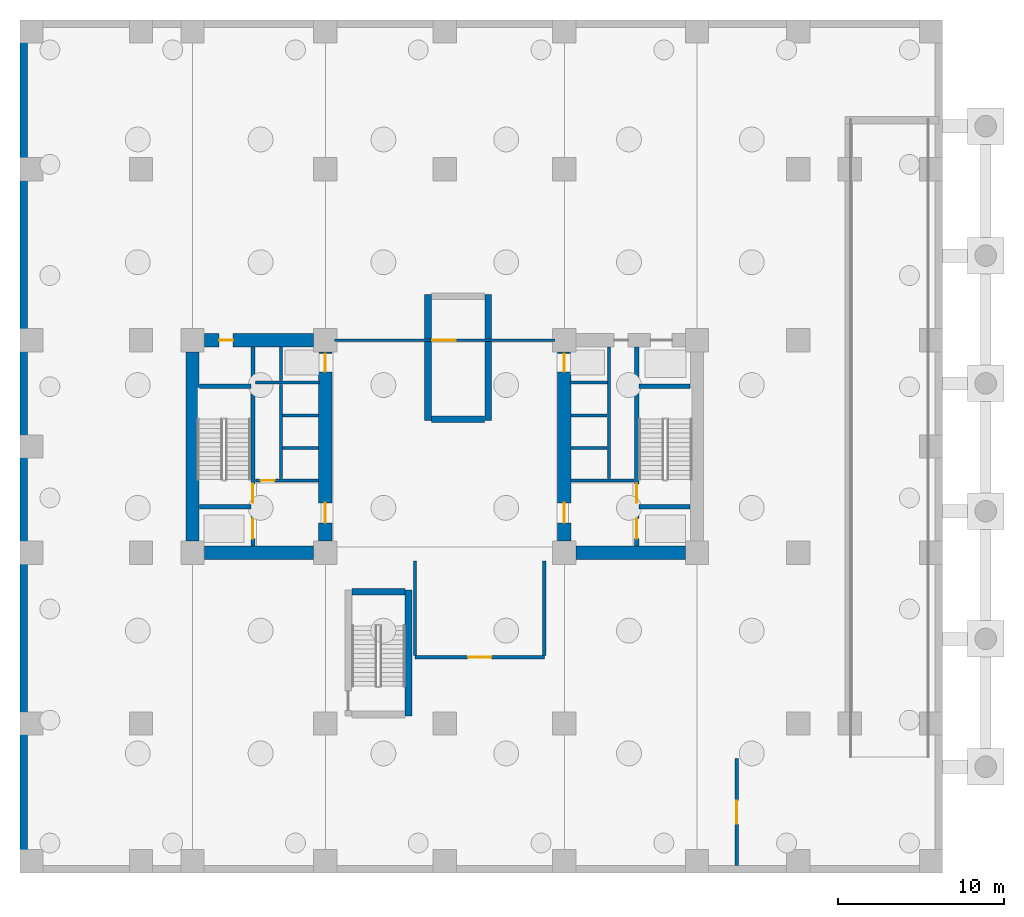
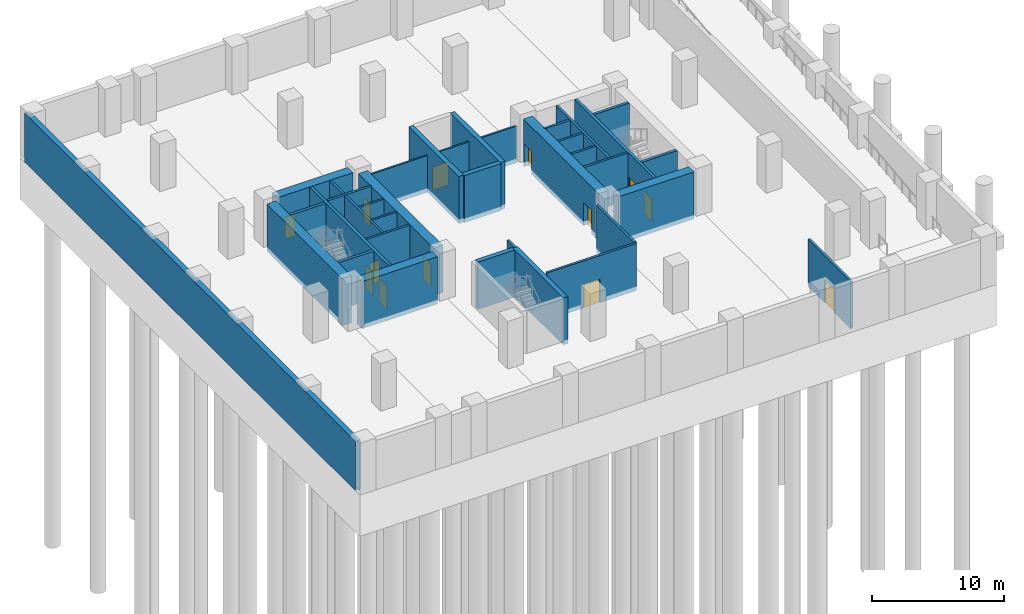
# One storey, part 2 of 6: 34 walls, 13 doors, 13 openings.
"""IFC4 building model written with IfcOpenShell, lengths in metres."""

import ifcopenshell
import ifcopenshell.guid

model = None  # the IFC model being written
_history = None  # IfcOwnerHistory: only IFC2X3 demands one
_inside = {}  # id of a spatial element -> (the spatial element, [elements in it])
_under = {}  # id of a project, library or spatial element -> (it, [spatial elements below it])
_declared = {}  # id of a project -> (the project, [libraries it declares])
_typed = {}  # id of a type object -> (the type object, [elements of that type])
_made_of = {}  # id of a material, layer set ... -> (it, [elements and type objects made of it])


def new_model(schema):
    """Start an empty IFC model of exactly this schema.

    Asked for "IFC4X3", IfcOpenShell would pick the latest addendum, in which some entities
    have other attributes; the version numbers below select the first issue.
    IFC2X3 requires an IfcOwnerHistory on every rooted entity: one is made here for all.
    """
    global model, _history
    if schema == "IFC4X3":
        model = ifcopenshell.file(schema_version=(4, 3, 0, 0))
    else:
        model = ifcopenshell.file(schema=schema)
    _inside.clear()
    _under.clear()
    _declared.clear()
    _typed.clear()
    _made_of.clear()
    _history = None
    if model.schema == "IFC2X3":
        org = make("IfcOrganization", Name="unknown")
        user = make(
            "IfcPersonAndOrganization",
            ThePerson=make("IfcPerson", FamilyName="unknown"),
            TheOrganization=org,
        )
        app = make(
            "IfcApplication",
            ApplicationDeveloper=org,
            Version="unknown",
            ApplicationFullName="unknown",
            ApplicationIdentifier="unknown",
        )
        _history = make(
            "IfcOwnerHistory",
            OwningUser=user,
            OwningApplication=app,
            ChangeAction="ADDED",
            CreationDate=0,
        )
    return model


def make(cls, **values):
    """One entity of the class cls with the attributes given. An attribute that is None is left unset."""
    return model.create_entity(
        cls, **{name: value for name, value in values.items() if value is not None}
    )


def rooted(cls, **values):
    """An entity with a GlobalId (a new one), such as an element, a storey or a relation."""
    return make(cls, GlobalId=ifcopenshell.guid.new(), OwnerHistory=_history, **values)


def si_unit(unit_type, name, prefix=None):
    """IfcSIUnit, for example si_unit("LENGTHUNIT", "METRE", prefix="MILLI")."""
    return make("IfcSIUnit", UnitType=unit_type, Prefix=prefix, Name=name)


def assignment(units):
    """IfcUnitAssignment: the units of a project."""
    return None if units is None else make("IfcUnitAssignment", Units=units)


def point(xyz):
    """IfcCartesianPoint."""
    return None if xyz is None else make("IfcCartesianPoint", Coordinates=xyz)


def direction(xyz):
    """IfcDirection."""
    return None if xyz is None else make("IfcDirection", DirectionRatios=xyz)


def frame(location, z_axis=None, x_axis=None):
    """IfcAxis2Placement3D, a coordinate frame: its origin and axes. An axis left out is left unset."""
    return make(
        "IfcAxis2Placement3D",
        Location=point(location),
        Axis=direction(z_axis),
        RefDirection=direction(x_axis),
    )


def frame_2d(location, x_axis=None):
    """IfcAxis2Placement2D, a coordinate frame in the plane: its origin and x axis."""
    return make(
        "IfcAxis2Placement2D", Location=point(location), RefDirection=direction(x_axis)
    )


def origin():
    """The frame at (0, 0, 0) with its axes left unset."""
    return frame((0.0, 0.0, 0.0))


def place(relative_to, where):
    """IfcLocalPlacement: puts the frame where relative to a parent placement (None: the world)."""
    return make(
        "IfcLocalPlacement", PlacementRelTo=relative_to, RelativePlacement=where
    )


def context(
    kind, dimensions, precision=None, world=None, true_north=None, identifier=None
):
    """IfcGeometricRepresentationContext, for example the 3D "Model" context."""
    return make(
        "IfcGeometricRepresentationContext",
        ContextIdentifier=identifier,
        ContextType=kind,
        CoordinateSpaceDimension=dimensions,
        Precision=precision,
        WorldCoordinateSystem=world,
        TrueNorth=true_north,
    )


def subcontext(parent, identifier, kind, view, scale=None):
    """IfcGeometricRepresentationSubContext, for example "Body" below "Model"."""
    return make(
        "IfcGeometricRepresentationSubContext",
        ContextIdentifier=identifier,
        ContextType=kind,
        ParentContext=parent,
        TargetScale=scale,
        TargetView=view,
    )


def project(units=None, contexts=None):
    """IfcProject with its units and contexts."""
    return rooted(
        "IfcProject",
        Name="project",
        RepresentationContexts=contexts,
        UnitsInContext=assignment(units),
    )


def spatial(cls, under=None, at=None, **own):
    """A site, building, storey or space (cls), placed at a placement, below another one or the project."""
    s = rooted(cls, ObjectPlacement=at, **own)
    if under is not None:
        _under.setdefault(under.id(), (under, []))[1].append(s)
    return s


def profile(cls, at=None, kind="AREA", **sizes):
    """A parametric profile (cls). Its sizes go by their IFC names, for example OverallWidth=200.0."""
    return make(cls, ProfileType=kind, Position=at, **sizes)


def rectangle(**sizes):
    """IfcRectangleProfileDef."""
    return profile("IfcRectangleProfileDef", **sizes)


def extrude(swept, where, along, depth):
    """IfcExtrudedAreaSolid: the profile swept, set in the frame where, extruded along a direction by depth."""
    return make(
        "IfcExtrudedAreaSolid",
        SweptArea=swept,
        Position=where,
        ExtrudedDirection=direction(along),
        Depth=depth,
    )


def shape(context_of_items, identifier, shape_type, items):
    """IfcShapeRepresentation: the items that make up one representation, for example the "Body"."""
    return make(
        "IfcShapeRepresentation",
        ContextOfItems=context_of_items,
        RepresentationIdentifier=identifier,
        RepresentationType=shape_type,
        Items=items,
    )


def material(Name=None, Category=None):
    """IfcMaterial."""
    return make("IfcMaterial", Name=Name, Category=Category)


def layer(
    of_material, thickness, ventilated=None, Name=None, Category=None, Priority=None
):
    """IfcMaterialLayer: one layer of a wall or slab, of a material (None: an air gap)."""
    return make(
        "IfcMaterialLayer",
        Material=of_material,
        LayerThickness=thickness,
        IsVentilated=ventilated,
        Name=Name,
        Category=Category,
        Priority=Priority,
    )


def layer_set(layers, Name=None):
    """IfcMaterialLayerSet."""
    return make("IfcMaterialLayerSet", MaterialLayers=layers, LayerSetName=Name)


def made_of(thing, what):
    """Note that an element or type object is made of a material, layer set ...; save() writes the relation."""
    if what is not None:
        _made_of.setdefault(what.id(), (what, []))[1].append(thing)
    return thing


def type_object(cls, material=None, **own):
    """A type object (cls), such as IfcWallType, which elements share."""
    return made_of(rooted(cls, **own), material)


def element(
    cls,
    number,
    at=None,
    inside=None,
    cuts=None,
    type_object=None,
    material=None,
    context=None,
    identifier="Body",
    shape_type=None,
    held_by="IfcProductDefinitionShape",
    body=None,
    shapes=None,
    **own,
):
    """One element of the class cls, such as IfcWall. Its Tag is "e" and its number.

    at: its placement. inside: the storey or other place that contains it. cuts: it is an
    opening in that element (IfcRelVoidsElement). A single representation is given by context,
    identifier, shape_type and body (its items); several are given by shapes. held_by: the class
    of the entity that holds the representations. save() writes the other relations.
    """
    e = rooted(cls, Tag="e%d" % number, ObjectPlacement=at, **own)
    if body is not None:
        shapes = [shape(context, identifier, shape_type, body)]
    if shapes is not None:
        e.Representation = make(held_by, Representations=shapes)
    if inside is not None:
        _inside.setdefault(inside.id(), (inside, []))[1].append(e)
    if cuts is not None:
        rooted(
            "IfcRelVoidsElement", RelatingBuildingElement=cuts, RelatedOpeningElement=e
        )
    if type_object is not None:
        _typed.setdefault(type_object.id(), (type_object, []))[1].append(e)
    return made_of(e, material)


def fill(opening, filler):
    """IfcRelFillsElement: the door or window that sits in an opening."""
    return rooted(
        "IfcRelFillsElement",
        RelatingOpeningElement=opening,
        RelatedBuildingElement=filler,
    )


def aggregate(whole, parts):
    """IfcRelAggregates: a whole, such as a stair, and the parts it consists of."""
    return rooted("IfcRelAggregates", RelatingObject=whole, RelatedObjects=parts)


def save(model, path):
    """Write the relations noted so far, then the file.

    IfcRelAggregates (storeys below a building ...), IfcRelContainedInSpatialStructure (elements
    in a storey), IfcRelDefinesByType, IfcRelAssociatesMaterial and IfcRelDeclares: one each for
    every whole, place, type object, material and project.
    """
    for whole, parts in _under.values():
        aggregate(whole, parts)
    for where, things in _inside.values():
        rooted(
            "IfcRelContainedInSpatialStructure",
            RelatedElements=things,
            RelatingStructure=where,
        )
    for kind, things in _typed.values():
        rooted("IfcRelDefinesByType", RelatedObjects=things, RelatingType=kind)
    for what, things in _made_of.values():
        rooted("IfcRelAssociatesMaterial", RelatedObjects=things, RelatingMaterial=what)
    for by, libraries in _declared.values():
        rooted("IfcRelDeclares", RelatingContext=by, RelatedDefinitions=libraries)
    model.write(path)


model = new_model("IFC4")

# Units and contexts
model_context = context("Model", 3, precision=1e-05, world=origin(), true_north=direction((0.0, 1.0)))
body_context = subcontext(model_context, "Body", "Model", "MODEL_VIEW")
ifc_project = project(units=[si_unit("LENGTHUNIT", "METRE"), si_unit("AREAUNIT", "SQUARE_METRE"), si_unit("VOLUMEUNIT", "CUBIC_METRE"), si_unit("PLANEANGLEUNIT", "RADIAN"), si_unit("MASSUNIT", "GRAM", prefix="KILO")], contexts=[model_context])

# Site, building, storey
site_placement = place(None, origin())
site = spatial("IfcSite", under=ifc_project, at=site_placement, CompositionType="ELEMENT")
building_placement = place(site_placement, origin())
building = spatial("IfcBuilding", under=site, at=building_placement, Name="Kranthara Brick Stack", CompositionType="ELEMENT")
storey_placement = place(building_placement, frame((0.0, 0.0, -4.800048828125)))
storey = spatial("IfcBuildingStorey", under=building, at=storey_placement, Name="B01", CompositionType="ELEMENT", Elevation=-4.800048828125)

# Wall, openings, doors
ifc_material_1 = material(Name="Concrete C50/60", Category="concrete")
ifc_layer_1 = layer(ifc_material_1, 0.25)
ifc_layer_set_1 = layer_set([ifc_layer_1], Name="Concrete C50/60")
wall_type_1 = type_object("IfcWallType", Name="WL-CORE-250", PredefinedType="SHEAR", material=ifc_layer_set_1)
wall_1_placement = place(storey_placement, frame((16.43505859375, 21.2099609375, 0.0), z_axis=(0.0, 0.0, 1.0), x_axis=(0.0, 1.0, 0.0)))
wall_1 = element("IfcWall", 1, at=wall_1_placement, inside=storey, type_object=wall_type_1, Name="B01 West Core Stair Bearing Spine Wall", PredefinedType="SHEAR", context=body_context, shape_type="SweptSolid", body=[
    extrude(rectangle(XDim=11.97998046875, YDim=0.25, at=frame_2d((5.989990234375, 0.0))), origin(), (0.0, 0.0, 1.0), 4.35009765625),
])
opening_1_placement = place(wall_1_placement, frame((0.43994140625, 0.0, 0.0)))
opening_1 = element("IfcOpeningElement", 2, at=opening_1_placement, cuts=wall_1, Name="Opening LD01", PredefinedType="OPENING", context=body_context, shape_type="SweptSolid", body=[
    extrude(rectangle(XDim=1.199951171875, YDim=2.14990234375, at=frame_2d((0.60009765625, 1.074951171875))), frame((0.0, 0.135009765625, 0.0), z_axis=(0.0, -1.0, 0.0), x_axis=(1.0, 0.0, 0.0)), (0.0, 0.0, 1.0), 0.27001953125),
])
opening_2_placement = place(wall_1_placement, frame((2.590087890625, 0.0, 0.0)))
opening_2 = element("IfcOpeningElement", 3, at=opening_2_placement, cuts=wall_1, Name="Opening D05", PredefinedType="OPENING", context=body_context, shape_type="SweptSolid", body=[
    extrude(rectangle(XDim=1.14990234375, YDim=2.14990234375, at=frame_2d((0.574951171875, 1.074951171875))), frame((0.0, 0.135009765625, 0.0), z_axis=(0.0, -1.0, 0.0), x_axis=(1.0, 0.0, 0.0)), (0.0, 0.0, 1.0), 0.27001953125),
])
ifc_material_2 = material(Name="Stainless steel sliding landing door", Category="steel")
door_type_1 = type_object("IfcDoorType", Name="DR-LD-FF1200", OperationType="DOUBLE_DOOR_SLIDING", PredefinedType="DOOR", material=ifc_material_2)
door_1_placement = place(opening_1_placement, origin())
door_1 = element("IfcDoor", 4, at=door_1_placement, inside=storey, type_object=door_type_1, Name="B01 Firefighting Lift FF-01 Landing Door", OperationType="DOUBLE_DOOR_SLIDING", OverallHeight=2.14990234375, OverallWidth=1.199951171875, PredefinedType="DOOR", context=body_context, shape_type="SweptSolid", body=[
    extrude(rectangle(XDim=1.199951171875, YDim=2.14990234375, at=frame_2d((0.60009765625, 1.074951171875))), frame((0.0, 0.02490234375, 0.0), z_axis=(0.0, -1.0, 0.0), x_axis=(1.0, 0.0, 0.0)), (0.0, 0.0, 1.0), 0.050048828125),
])
fill(opening_1, door_1)
ifc_material_3 = material(Name="Solid-core hardwood timber leaf in steel frame", Category="steel")
door_type_2 = type_object("IfcDoorType", Name="DR-ST-1150", OperationType="NOTDEFINED", PredefinedType="DOOR", material=ifc_material_3)
door_2_placement = place(opening_2_placement, origin())
door_2 = element("IfcDoor", 5, at=door_2_placement, inside=storey, type_object=door_type_2, Name="B01 Exit Stair ST01 Door", OperationType="SINGLE_SWING_RIGHT", OverallHeight=2.14990234375, OverallWidth=1.14990234375, PredefinedType="DOOR", context=body_context, shape_type="SweptSolid", body=[
    extrude(rectangle(XDim=1.14990234375, YDim=2.14990234375, at=frame_2d((0.574951171875, 1.074951171875))), frame((0.0, 0.02490234375, 0.0), z_axis=(0.0, -1.0, 0.0), x_axis=(1.0, 0.0, 0.0)), (0.0, 0.0, 1.0), 0.050048828125),
])
fill(opening_2, door_2)

# Walls
for number, where, z_axis, x_axis, name in (
    (6, (13.2099609375, 23.570068359375, 0.0), (0.0, 0.0, 1.0), (1.0, 0.0, 0.0), "B01 West Stairwell Bearing Wall WFF"),
    (7, (13.2099609375, 30.830078125, 0.0), (0.0, 0.0, 1.0), (1.0, 0.0, 0.0), "B01 West Stairwell Bearing Wall WST"),
):
    element("IfcWall", number, at=place(storey_placement, frame(where, z_axis=z_axis, x_axis=x_axis)), inside=storey, type_object=wall_type_1, Name=name, PredefinedType="SHEAR", context=body_context, shape_type="SweptSolid", body=[
        extrude(rectangle(XDim=3.10009765625, YDim=0.25, at=frame_2d((1.550048828125, 0.0))), origin(), (0.0, 0.0, 1.0), 4.35009765625),
    ])

# Wall, openings, doors
wall_2_placement = place(storey_placement, frame((39.56494140625, 21.2099609375, 0.0), z_axis=(0.0, 0.0, 1.0), x_axis=(0.0, 1.0, 0.0)))
wall_2 = element("IfcWall", 8, at=wall_2_placement, inside=storey, type_object=wall_type_1, Name="B01 East Core Stair Bearing Spine Wall", PredefinedType="SHEAR", context=body_context, shape_type="SweptSolid", body=[
    extrude(rectangle(XDim=11.97998046875, YDim=0.25, at=frame_2d((5.989990234375, 0.0))), origin(), (0.0, 0.0, 1.0), 4.35009765625),
])
opening_3_placement = place(wall_2_placement, frame((0.43994140625, 0.0, 0.0)))
opening_3 = element("IfcOpeningElement", 9, at=opening_3_placement, cuts=wall_2, Name="Opening LD01", PredefinedType="OPENING", context=body_context, shape_type="SweptSolid", body=[
    extrude(rectangle(XDim=1.199951171875, YDim=2.14990234375, at=frame_2d((0.60009765625, 1.074951171875))), frame((0.0, 0.135009765625, 0.0), z_axis=(0.0, -1.0, 0.0), x_axis=(1.0, 0.0, 0.0)), (0.0, 0.0, 1.0), 0.27001953125),
])
opening_4_placement = place(wall_2_placement, frame((2.590087890625, 0.0, 0.0)))
opening_4 = element("IfcOpeningElement", 10, at=opening_4_placement, cuts=wall_2, Name="Opening D05", PredefinedType="OPENING", context=body_context, shape_type="SweptSolid", body=[
    extrude(rectangle(XDim=1.14990234375, YDim=2.14990234375, at=frame_2d((0.574951171875, 1.074951171875))), frame((0.0, 0.135009765625, 0.0), z_axis=(0.0, -1.0, 0.0), x_axis=(1.0, 0.0, 0.0)), (0.0, 0.0, 1.0), 0.27001953125),
])
door_3_placement = place(opening_3_placement, origin())
door_3 = element("IfcDoor", 11, at=door_3_placement, inside=storey, type_object=door_type_1, Name="B01 Firefighting Lift FF-02 Landing Door", OperationType="DOUBLE_DOOR_SLIDING", OverallHeight=2.14990234375, OverallWidth=1.199951171875, PredefinedType="DOOR", context=body_context, shape_type="SweptSolid", body=[
    extrude(rectangle(XDim=1.199951171875, YDim=2.14990234375, at=frame_2d((0.60009765625, 1.074951171875))), frame((0.0, 0.02490234375, 0.0), z_axis=(0.0, -1.0, 0.0), x_axis=(1.0, 0.0, 0.0)), (0.0, 0.0, 1.0), 0.050048828125),
])
fill(opening_3, door_3)
door_4_placement = place(opening_4_placement, origin())
door_4 = element("IfcDoor", 12, at=door_4_placement, inside=storey, type_object=door_type_2, Name="B01 Exit Stair ST02 Door", OperationType="SINGLE_SWING_LEFT", OverallHeight=2.14990234375, OverallWidth=1.14990234375, PredefinedType="DOOR", context=body_context, shape_type="SweptSolid", body=[
    extrude(rectangle(XDim=1.14990234375, YDim=2.14990234375, at=frame_2d((0.574951171875, 1.074951171875))), frame((0.0, 0.02490234375, 0.0), z_axis=(0.0, -1.0, 0.0), x_axis=(1.0, 0.0, 0.0)), (0.0, 0.0, 1.0), 0.050048828125),
])
fill(opening_4, door_4)

# Walls
for number, where, z_axis, x_axis, name in (
    (13, (39.68994140625, 23.570068359375, 0.0), (0.0, 0.0, 1.0), (1.0, 0.0, 0.0), "B01 East Stairwell Bearing Wall EFF"),
    (14, (39.68994140625, 30.830078125, 0.0), (0.0, 0.0, 1.0), (1.0, 0.0, 0.0), "B01 East Stairwell Bearing Wall EST"),
):
    element("IfcWall", number, at=place(storey_placement, frame(where, z_axis=z_axis, x_axis=x_axis)), inside=storey, type_object=wall_type_1, Name=name, PredefinedType="SHEAR", context=body_context, shape_type="SweptSolid", body=[
        extrude(rectangle(XDim=3.10009765625, YDim=0.25, at=frame_2d((1.550048828125, 0.0))), origin(), (0.0, 0.0, 1.0), 4.35009765625),
    ])
ifc_material_4 = material(Name="Concrete C50/60", Category="concrete")
ifc_layer_2 = layer(ifc_material_4, 0.39990234375)
ifc_layer_set_2 = layer_set([ifc_layer_2], Name="Concrete C50/60")
wall_type_2 = type_object("IfcWallType", Name="WL-CORE-400", PredefinedType="SHEAR", material=ifc_layer_set_2)
wall_3_placement = place(storey_placement, frame((25.81005859375, 10.949951171875, 0.0), z_axis=(0.0, 0.0, 1.0), x_axis=(0.0, 1.0, 0.0)))
element("IfcWall", 15, at=wall_3_placement, inside=storey, type_object=wall_type_2, Name="B01 Stair ST03 Bearing Wall E", PredefinedType="SHEAR", context=body_context, shape_type="SweptSolid", body=[
    extrude(rectangle(XDim=7.60009765625, YDim=0.39990234375, at=frame_2d((3.800048828125, 0.0))), origin(), (0.0, 0.0, 1.0), 4.35009765625),
])
wall_4_placement = place(storey_placement, frame((22.39990234375, 18.449951171875, 0.0), z_axis=(0.0, 0.0, 1.0), x_axis=(1.0, 0.0, 0.0)))
element("IfcWall", 16, at=wall_4_placement, inside=storey, type_object=wall_type_2, Name="B01 Stair ST03 Bearing Wall N", PredefinedType="SHEAR", context=body_context, shape_type="SweptSolid", body=[
    extrude(rectangle(XDim=3.2001953125, YDim=0.39990234375, at=frame_2d((1.60009765625, 0.0))), origin(), (0.0, 0.0, 1.0), 4.35009765625),
])
for number, where, z_axis, x_axis, name in (
    (17, (26.989990234375, 28.75, 0.0), (0.0, 0.0, 1.0), (0.0, 1.0, 0.0), "B01 Stair ST04 Bearing Wall W"),
    (18, (30.610107421875, 28.75, 0.0), (0.0, 0.0, 1.0), (0.0, 1.0, 0.0), "B01 Stair ST04 Bearing Wall E"),
):
    element("IfcWall", number, at=place(storey_placement, frame(where, z_axis=z_axis, x_axis=x_axis)), inside=storey, type_object=wall_type_2, Name=name, PredefinedType="SHEAR", context=body_context, shape_type="SweptSolid", body=[
        extrude(rectangle(XDim=7.60009765625, YDim=0.39990234375, at=frame_2d((3.800048828125, 0.0))), origin(), (0.0, 0.0, 1.0), 4.35009765625),
    ])
wall_5_placement = place(storey_placement, frame((27.199951171875, 28.85009765625, 0.0), z_axis=(0.0, 0.0, 1.0), x_axis=(1.0, 0.0, 0.0)))
element("IfcWall", 19, at=wall_5_placement, inside=storey, type_object=wall_type_2, Name="B01 Stair ST04 Bearing Wall S", PredefinedType="SHEAR", context=body_context, shape_type="SweptSolid", body=[
    extrude(rectangle(XDim=3.199951171875, YDim=0.39990234375, at=frame_2d((1.60009765625, 0.0))), origin(), (0.0, 0.0, 1.0), 4.35009765625),
])
ifc_material_5 = material(Name="Concrete C70/85", Category="concrete")
ifc_layer_3 = layer(ifc_material_5, 0.800048828125)
ifc_layer_set_3 = layer_set([ifc_layer_3], Name="Concrete C70/85")
wall_type_3 = type_object("IfcWallType", Name="WL-CORE-800", PredefinedType="SHEAR", material=ifc_layer_set_3)
wall_6_placement = place(storey_placement, frame((12.800048828125, 21.5048828125, 0.0), z_axis=(0.0, 0.0, 1.0), x_axis=(0.0, 1.0, 0.0)))
element("IfcWall", 20, at=wall_6_placement, inside=storey, type_object=wall_type_3, Name="B01 West Core Shear Wall West", PredefinedType="SHEAR", context=body_context, shape_type="SweptSolid", body=[
    extrude(rectangle(XDim=11.39013671875, YDim=0.800048828125, at=frame_2d((5.695068359375, 0.0))), origin(), (0.0, 0.0, 1.0), 4.35009765625),
])
wall_7_placement = place(storey_placement, frame((13.5048828125, 20.800048828125, 0.0), z_axis=(0.0, 0.0, 1.0), x_axis=(1.0, 0.0, 0.0)))
element("IfcWall", 21, at=wall_7_placement, inside=storey, type_object=wall_type_3, Name="B01 West Core Shear Wall South", PredefinedType="SHEAR", context=body_context, shape_type="SweptSolid", body=[
    extrude(rectangle(XDim=6.590087890625, YDim=0.800048828125, at=frame_2d((3.294921875, 0.0))), origin(), (0.0, 0.0, 1.0), 4.35009765625),
])

# Wall, opening, door
wall_8_placement = place(storey_placement, frame((13.5048828125, 33.60009765625, 0.0), z_axis=(0.0, 0.0, 1.0), x_axis=(1.0, 0.0, 0.0)))
wall_8 = element("IfcWall", 22, at=wall_8_placement, inside=storey, type_object=wall_type_3, Name="B01 West Core Shear Wall North", PredefinedType="SHEAR", context=body_context, shape_type="SweptSolid", body=[
    extrude(rectangle(XDim=6.590087890625, YDim=0.800048828125, at=frame_2d((3.294921875, 0.0))), origin(), (0.0, 0.0, 1.0), 4.35009765625),
])
opening_5_placement = place(wall_8_placement, frame((0.89501953125, 0.0, 0.0)))
opening_5 = element("IfcOpeningElement", 23, at=opening_5_placement, cuts=wall_8, Name="Opening D10", PredefinedType="OPENING", context=body_context, shape_type="SweptSolid", body=[
    extrude(rectangle(XDim=0.85009765625, YDim=2.02001953125, at=frame_2d((0.425048828125, 1.010009765625))), frame((0.0, 0.409912109375, 0.0), z_axis=(0.0, -1.0, 0.0), x_axis=(1.0, 0.0, 0.0)), (0.0, 0.0, 1.0), 0.820068359375),
])
ifc_material_6 = material(Name="Solid-core hardwood timber leaf in steel frame", Category="steel")
door_type_3 = type_object("IfcDoorType", Name="DR-RSR-850", OperationType="NOTDEFINED", PredefinedType="DOOR", material=ifc_material_6)
door_5_placement = place(opening_5_placement, origin())
door_5 = element("IfcDoor", 24, at=door_5_placement, inside=storey, type_object=door_type_3, Name="B01 West Core Service Door 1", OperationType="SINGLE_SWING_LEFT", OverallHeight=2.02001953125, OverallWidth=0.85009765625, PredefinedType="DOOR", context=body_context, shape_type="SweptSolid", body=[
    extrude(rectangle(XDim=0.85009765625, YDim=2.02001953125, at=frame_2d((0.425048828125, 1.010009765625))), frame((0.0, 0.02490234375, 0.0), z_axis=(0.0, -1.0, 0.0), x_axis=(1.0, 0.0, 0.0)), (0.0, 0.0, 1.0), 0.050048828125),
])
fill(opening_5, door_5)

# Wall, openings, doors
wall_9_placement = place(storey_placement, frame((20.800048828125, 21.5048828125, 0.0), z_axis=(0.0, 0.0, 1.0), x_axis=(0.0, 1.0, 0.0)))
wall_9 = element("IfcWall", 25, at=wall_9_placement, inside=storey, type_object=wall_type_3, Name="B01 West Core Shear Wall East", PredefinedType="SHEAR", context=body_context, shape_type="SweptSolid", body=[
    extrude(rectangle(XDim=11.39013671875, YDim=0.800048828125, at=frame_2d((5.695068359375, 0.0))), origin(), (0.0, 0.0, 1.0), 4.35009765625),
])
opening_6_placement = place(wall_9_placement, frame((1.094970703125, 0.0, 0.0)))
opening_6 = element("IfcOpeningElement", 26, at=opening_6_placement, cuts=wall_9, Name="Opening D06", PredefinedType="OPENING", context=body_context, shape_type="SweptSolid", body=[
    extrude(rectangle(XDim=1.199951171875, YDim=2.14990234375, at=frame_2d((0.60009765625, 1.074951171875))), frame((0.0, 0.409912109375, 0.0), z_axis=(0.0, -1.0, 0.0), x_axis=(1.0, 0.0, 0.0)), (0.0, 0.0, 1.0), 0.820068359375),
])
opening_7_placement = place(wall_9_placement, frame((10.195068359375, 0.0, 0.0)))
opening_7 = element("IfcOpeningElement", 27, at=opening_7_placement, cuts=wall_9, Name="Opening LD02", PredefinedType="OPENING", context=body_context, shape_type="SweptSolid", body=[
    extrude(rectangle(XDim=1.10009765625, YDim=2.10009765625, at=frame_2d((0.550048828125, 1.050048828125))), frame((0.0, 0.409912109375, 0.0), z_axis=(0.0, -1.0, 0.0), x_axis=(1.0, 0.0, 0.0)), (0.0, 0.0, 1.0), 0.820068359375),
])
ifc_material_7 = material(Name="Solid-core hardwood timber leaf in steel frame", Category="steel")
door_type_4 = type_object("IfcDoorType", Name="DR-FFL-1200", OperationType="NOTDEFINED", PredefinedType="DOOR", material=ifc_material_7)
door_6_placement = place(opening_6_placement, origin())
door_6 = element("IfcDoor", 28, at=door_6_placement, inside=storey, type_object=door_type_4, Name="B01 West Firefighting Lobby Door", OperationType="SINGLE_SWING_LEFT", OverallHeight=2.14990234375, OverallWidth=1.199951171875, PredefinedType="DOOR", context=body_context, shape_type="SweptSolid", body=[
    extrude(rectangle(XDim=1.199951171875, YDim=2.14990234375, at=frame_2d((0.60009765625, 1.074951171875))), frame((0.0, 0.02490234375, 0.0), z_axis=(0.0, -1.0, 0.0), x_axis=(1.0, 0.0, 0.0)), (0.0, 0.0, 1.0), 0.050048828125),
])
fill(opening_6, door_6)
ifc_material_8 = material(Name="Stainless steel sliding landing door", Category="steel")
door_type_5 = type_object("IfcDoorType", Name="DR-LD-PL1100", OperationType="DOUBLE_DOOR_SLIDING", PredefinedType="DOOR", material=ifc_material_8)
door_7_placement = place(opening_7_placement, origin())
door_7 = element("IfcDoor", 29, at=door_7_placement, inside=storey, type_object=door_type_5, Name="B01 PL-07 Lift Landing Door", OperationType="DOUBLE_DOOR_SLIDING", OverallHeight=2.10009765625, OverallWidth=1.10009765625, PredefinedType="DOOR", context=body_context, shape_type="SweptSolid", body=[
    extrude(rectangle(XDim=1.10009765625, YDim=2.10009765625, at=frame_2d((0.550048828125, 1.050048828125))), frame((0.0, 0.02490234375, 0.0), z_axis=(0.0, -1.0, 0.0), x_axis=(1.0, 0.0, 0.0)), (0.0, 0.0, 1.0), 0.050048828125),
])
fill(opening_7, door_7)

# Wall
wall_10_placement = place(storey_placement, frame((35.905029296875, 20.800048828125, 0.0), z_axis=(0.0, 0.0, 1.0), x_axis=(1.0, 0.0, 0.0)))
element("IfcWall", 30, at=wall_10_placement, inside=storey, type_object=wall_type_3, Name="B01 East Core Shear Wall South", PredefinedType="SHEAR", context=body_context, shape_type="SweptSolid", body=[
    extrude(rectangle(XDim=6.590087890625, YDim=0.800048828125, at=frame_2d((3.294921875, 0.0))), origin(), (0.0, 0.0, 1.0), 4.35009765625),
])

# Wall, openings, doors
wall_11_placement = place(storey_placement, frame((35.199951171875, 21.5048828125, 0.0), z_axis=(0.0, 0.0, 1.0), x_axis=(0.0, 1.0, 0.0)))
wall_11 = element("IfcWall", 31, at=wall_11_placement, inside=storey, type_object=wall_type_3, Name="B01 East Core Shear Wall West", PredefinedType="SHEAR", context=body_context, shape_type="SweptSolid", body=[
    extrude(rectangle(XDim=11.39013671875, YDim=0.800048828125, at=frame_2d((5.695068359375, 0.0))), origin(), (0.0, 0.0, 1.0), 4.35009765625),
])
opening_8_placement = place(wall_11_placement, frame((1.094970703125, 0.0, 0.0)))
opening_8 = element("IfcOpeningElement", 32, at=opening_8_placement, cuts=wall_11, Name="Opening D06", PredefinedType="OPENING", context=body_context, shape_type="SweptSolid", body=[
    extrude(rectangle(XDim=1.199951171875, YDim=2.14990234375, at=frame_2d((0.60009765625, 1.074951171875))), frame((0.0, 0.409912109375, 0.0), z_axis=(0.0, -1.0, 0.0), x_axis=(1.0, 0.0, 0.0)), (0.0, 0.0, 1.0), 0.820068359375),
])
opening_9_placement = place(wall_11_placement, frame((10.195068359375, 0.0, 0.0)))
opening_9 = element("IfcOpeningElement", 33, at=opening_9_placement, cuts=wall_11, Name="Opening LD02", PredefinedType="OPENING", context=body_context, shape_type="SweptSolid", body=[
    extrude(rectangle(XDim=1.10009765625, YDim=2.10009765625, at=frame_2d((0.550048828125, 1.050048828125))), frame((0.0, 0.409912109375, 0.0), z_axis=(0.0, -1.0, 0.0), x_axis=(1.0, 0.0, 0.0)), (0.0, 0.0, 1.0), 0.820068359375),
])
door_8_placement = place(opening_8_placement, origin())
door_8 = element("IfcDoor", 34, at=door_8_placement, inside=storey, type_object=door_type_4, Name="B01 East Firefighting Lobby Door", OperationType="SINGLE_SWING_RIGHT", OverallHeight=2.14990234375, OverallWidth=1.199951171875, PredefinedType="DOOR", context=body_context, shape_type="SweptSolid", body=[
    extrude(rectangle(XDim=1.199951171875, YDim=2.14990234375, at=frame_2d((0.60009765625, 1.074951171875))), frame((0.0, 0.02490234375, 0.0), z_axis=(0.0, -1.0, 0.0), x_axis=(1.0, 0.0, 0.0)), (0.0, 0.0, 1.0), 0.050048828125),
])
fill(opening_8, door_8)
door_9_placement = place(opening_9_placement, origin())
door_9 = element("IfcDoor", 35, at=door_9_placement, inside=storey, type_object=door_type_5, Name="B01 PL-08 Lift Landing Door", OperationType="DOUBLE_DOOR_SLIDING", OverallHeight=2.10009765625, OverallWidth=1.10009765625, PredefinedType="DOOR", context=body_context, shape_type="SweptSolid", body=[
    extrude(rectangle(XDim=1.10009765625, YDim=2.10009765625, at=frame_2d((0.550048828125, 1.050048828125))), frame((0.0, 0.02490234375, 0.0), z_axis=(0.0, -1.0, 0.0), x_axis=(1.0, 0.0, 0.0)), (0.0, 0.0, 1.0), 0.050048828125),
])
fill(opening_9, door_9)

# Wall, opening, door
ifc_material_9 = material(Name="Fire-rated gypsum board partition", Category="other")
ifc_layer_4 = layer(ifc_material_9, 0.14990234375)
ifc_layer_set_4 = layer_set([ifc_layer_4], Name="Fire-rated gypsum board partition")
wall_type_4 = type_object("IfcWallType", Name="WL-PART-150", PredefinedType="PARTITIONING", material=ifc_layer_set_4)
wall_12_placement = place(storey_placement, frame((21.35009765625, 33.60009765625, 0.0), z_axis=(0.0, 0.0, 1.0), x_axis=(1.0, 0.0, 0.0)))
wall_12 = element("IfcWall", 36, at=wall_12_placement, inside=storey, type_object=wall_type_4, Name="B01 Interior Partition 005", PredefinedType="PARTITIONING", context=body_context, shape_type="SweptSolid", body=[
    extrude(rectangle(XDim=13.2998046875, YDim=0.14990234375, at=frame_2d((6.64990234375, 0.0))), origin(), (0.0, 0.0, 1.0), 3.385009765625),
])
opening_10_placement = place(wall_12_placement, frame((5.89990234375, 0.0, 0.0)))
opening_10 = element("IfcOpeningElement", 37, at=opening_10_placement, cuts=wall_12, Name="Opening D19", PredefinedType="OPENING", context=body_context, shape_type="SweptSolid", body=[
    extrude(rectangle(XDim=1.39990234375, YDim=2.14990234375, at=frame_2d((0.699951171875, 1.074951171875))), frame((0.0, 0.0849609375, 0.0), z_axis=(0.0, -1.0, 0.0), x_axis=(1.0, 0.0, 0.0)), (0.0, 0.0, 1.0), 0.169921875),
])
ifc_material_10 = material(Name="Solid-core hardwood timber leaf in steel frame", Category="steel")
door_type_6 = type_object("IfcDoorType", Name="DR-DBL-1400", OperationType="DOUBLE_DOOR_SINGLE_SWING", PredefinedType="DOOR", material=ifc_material_10)
door_10_placement = place(opening_10_placement, origin())
door_10 = element("IfcDoor", 38, at=door_10_placement, inside=storey, type_object=door_type_6, Name="B01 Car Park Lift Lobby Door 03", OperationType="DOUBLE_DOOR_SINGLE_SWING", OverallHeight=2.14990234375, OverallWidth=1.39990234375, PredefinedType="DOOR", context=body_context, shape_type="SweptSolid", body=[
    extrude(rectangle(XDim=1.39990234375, YDim=2.14990234375, at=frame_2d((0.699951171875, 1.074951171875))), frame((0.0, 0.02490234375, 0.0), z_axis=(0.0, -1.0, 0.0), x_axis=(1.0, 0.0, 0.0)), (0.0, 0.0, 1.0), 0.050048828125),
])
fill(opening_10, door_10)

# Walls
ifc_material_11 = material(Name="Gypsum plasterboard on acoustic twin stud", Category="other")
ifc_layer_5 = layer(ifc_material_11, 0.179931640625)
ifc_layer_set_5 = layer_set([ifc_layer_5], Name="Gypsum plasterboard on acoustic twin stud")
wall_type_5 = type_object("IfcWallType", Name="WL-PART-180", PredefinedType="PARTITIONING", material=ifc_layer_set_5)
wall_13_placement = place(storey_placement, frame((18.1201171875, 25.27001953125, 0.0), z_axis=(0.0, 0.0, 1.0), x_axis=(0.0, 1.0, 0.0)))
element("IfcWall", 39, at=wall_13_placement, inside=storey, type_object=wall_type_5, Name="B01 West Hoistway Wall WBK", PredefinedType="PARTITIONING", context=body_context, shape_type="SweptSolid", body=[
    extrude(rectangle(XDim=5.659912109375, YDim=0.179931640625, at=frame_2d((2.830078125, 0.0))), origin(), (0.0, 0.0, 1.0), 4.35009765625),
])
wall_14_placement = place(storey_placement, frame((18.1201171875, 31.169921875, 0.0), z_axis=(0.0, 0.0, 1.0), x_axis=(0.0, 1.0, 0.0)))
element("IfcWall", 40, at=wall_14_placement, inside=storey, type_object=wall_type_5, Name="B01 West Hoistway Wall WBK7", PredefinedType="PARTITIONING", context=body_context, shape_type="SweptSolid", body=[
    extrude(rectangle(XDim=2.02001953125, YDim=0.179931640625, at=frame_2d((1.010009765625, 0.0))), origin(), (0.0, 0.0, 1.0), 4.35009765625),
])
for number, where, z_axis, x_axis, name in (
    (41, (18.219970703125, 27.1201171875, 0.0), (0.0, 0.0, 1.0), (1.0, 0.0, 0.0), "B01 West Hoistway Wall WH1"),
    (42, (18.219970703125, 29.080078125, 0.0), (0.0, 0.0, 1.0), (1.0, 0.0, 0.0), "B01 West Hoistway Wall WH2"),
    (43, (35.610107421875, 27.1201171875, 0.0), (0.0, 0.0, 1.0), (1.0, 0.0, 0.0), "B01 East Hoistway Wall EH1"),
    (44, (35.610107421875, 29.080078125, 0.0), (0.0, 0.0, 1.0), (1.0, 0.0, 0.0), "B01 East Hoistway Wall EH2"),
):
    element("IfcWall", number, at=place(storey_placement, frame(where, z_axis=z_axis, x_axis=x_axis)), inside=storey, type_object=wall_type_5, Name=name, PredefinedType="PARTITIONING", context=body_context, shape_type="SweptSolid", body=[
        extrude(rectangle(XDim=2.169921875, YDim=0.179931640625, at=frame_2d((1.0849609375, 0.0))), origin(), (0.0, 0.0, 1.0), 4.35009765625),
    ])

# Wall, opening, door
ifc_material_12 = material(Name="Concrete C40/50", Category="concrete")
ifc_layer_6 = layer(ifc_material_12, 0.199951171875)
ifc_layer_set_6 = layer_set([ifc_layer_6], Name="Concrete C40/50")
wall_type_6 = type_object("IfcWallType", Name="WL-PART-200", PredefinedType="SOLIDWALL", material=ifc_layer_set_6)
wall_15_placement = place(storey_placement, frame((16.60009765625, 25.14990234375, 0.0), z_axis=(0.0, 0.0, 1.0), x_axis=(1.0, 0.0, 0.0)))
wall_15 = element("IfcWall", 45, at=wall_15_placement, inside=storey, type_object=wall_type_6, Name="B01 West Core Cross Wall WFL", PredefinedType="SOLIDWALL", context=body_context, shape_type="SweptSolid", body=[
    extrude(rectangle(XDim=3.789794921875, YDim=0.199951171875, at=frame_2d((1.89501953125, 0.0))), origin(), (0.0, 0.0, 1.0), 4.35009765625),
])
opening_11_placement = place(wall_15_placement, frame((0.300048828125, 0.0, 0.0)))
opening_11 = element("IfcOpeningElement", 46, at=opening_11_placement, cuts=wall_15, Name="Opening D10", PredefinedType="OPENING", context=body_context, shape_type="SweptSolid", body=[
    extrude(rectangle(XDim=0.85009765625, YDim=2.02001953125, at=frame_2d((0.425048828125, 1.010009765625))), frame((0.0, 0.10986328125, 0.0), z_axis=(0.0, -1.0, 0.0), x_axis=(1.0, 0.0, 0.0)), (0.0, 0.0, 1.0), 0.219970703125),
])
door_11_placement = place(opening_11_placement, origin())
door_11 = element("IfcDoor", 47, at=door_11_placement, inside=storey, type_object=door_type_3, Name="B01 Mechanical Riser Access Door", OperationType="SINGLE_SWING_LEFT", OverallHeight=2.02001953125, OverallWidth=0.85009765625, PredefinedType="DOOR", context=body_context, shape_type="SweptSolid", body=[
    extrude(rectangle(XDim=0.85009765625, YDim=2.02001953125, at=frame_2d((0.425048828125, 1.010009765625))), frame((0.0, 0.02490234375, 0.0), z_axis=(0.0, -1.0, 0.0), x_axis=(1.0, 0.0, 0.0)), (0.0, 0.0, 1.0), 0.050048828125),
])
fill(opening_11, door_11)

# Walls
wall_16_placement = place(storey_placement, frame((16.60009765625, 31.050048828125, 0.0), z_axis=(0.0, 0.0, 1.0), x_axis=(1.0, 0.0, 0.0)))
element("IfcWall", 48, at=wall_16_placement, inside=storey, type_object=wall_type_6, Name="B01 West Core Cross Wall WH4", PredefinedType="SOLIDWALL", context=body_context, shape_type="SweptSolid", body=[
    extrude(rectangle(XDim=3.849853515625, YDim=0.199951171875, at=frame_2d((1.9248046875, 0.0))), origin(), (0.0, 0.0, 1.0), 4.35009765625),
])
wall_17_placement = place(storey_placement, frame((35.610107421875, 25.14990234375, 0.0), z_axis=(0.0, 0.0, 1.0), x_axis=(1.0, 0.0, 0.0)))
element("IfcWall", 49, at=wall_17_placement, inside=storey, type_object=wall_type_6, Name="B01 East Core Cross Wall EFL", PredefinedType="SOLIDWALL", context=body_context, shape_type="SweptSolid", body=[
    extrude(rectangle(XDim=3.789794921875, YDim=0.199951171875, at=frame_2d((1.89501953125, 0.0))), origin(), (0.0, 0.0, 1.0), 4.35009765625),
])
wall_18_placement = place(storey_placement, frame((35.550048828125, 31.050048828125, 0.0), z_axis=(0.0, 0.0, 1.0), x_axis=(1.0, 0.0, 0.0)))
element("IfcWall", 50, at=wall_18_placement, inside=storey, type_object=wall_type_6, Name="B01 East Core Cross Wall EE4", PredefinedType="SOLIDWALL", context=body_context, shape_type="SweptSolid", body=[
    extrude(rectangle(XDim=2.25, YDim=0.199951171875, at=frame_2d((1.125, 0.0))), origin(), (0.0, 0.0, 1.0), 4.35009765625),
])
wall_19_placement = place(storey_placement, frame((37.89990234375, 25.27001953125, 0.0), z_axis=(0.0, 0.0, 1.0), x_axis=(0.0, 1.0, 0.0)))
element("IfcWall", 51, at=wall_19_placement, inside=storey, type_object=wall_type_6, Name="B01 East Core Cross Wall ESV", PredefinedType="SOLIDWALL", context=body_context, shape_type="SweptSolid", body=[
    extrude(rectangle(XDim=7.919921875, YDim=0.199951171875, at=frame_2d((3.9599609375, 0.0))), origin(), (0.0, 0.0, 1.0), 4.35009765625),
])

# Wall, opening, door
wall_20_placement = place(storey_placement, frame((45.60009765625, 1.955078125, 0.0), z_axis=(0.0, 0.0, 1.0), x_axis=(0.0, 1.0, 0.0)))
wall_20 = element("IfcWall", 52, at=wall_20_placement, inside=storey, type_object=wall_type_6, Name="B01 Interior Partition 001", PredefinedType="SOLIDWALL", context=body_context, shape_type="SweptSolid", body=[
    extrude(rectangle(XDim=6.44482421875, YDim=0.199951171875, at=frame_2d((3.222412109375, 0.0))), origin(), (0.0, 0.0, 1.0), 4.35009765625),
])
opening_12_placement = place(wall_20_placement, frame((2.5, 0.0, 0.0)))
opening_12 = element("IfcOpeningElement", 53, at=opening_12_placement, cuts=wall_20, Name="Opening D19", PredefinedType="OPENING", context=body_context, shape_type="SweptSolid", body=[
    extrude(rectangle(XDim=1.39990234375, YDim=2.14990234375, at=frame_2d((0.699951171875, 1.074951171875))), frame((0.0, 0.10986328125, 0.0), z_axis=(0.0, -1.0, 0.0), x_axis=(1.0, 0.0, 0.0)), (0.0, 0.0, 1.0), 0.219970703125),
])
door_12_placement = place(opening_12_placement, origin())
door_12 = element("IfcDoor", 54, at=door_12_placement, inside=storey, type_object=door_type_6, Name="B01 Plant Door 01", OperationType="DOUBLE_DOOR_SINGLE_SWING", OverallHeight=2.14990234375, OverallWidth=1.39990234375, PredefinedType="DOOR", context=body_context, shape_type="SweptSolid", body=[
    extrude(rectangle(XDim=1.39990234375, YDim=2.14990234375, at=frame_2d((0.699951171875, 1.074951171875))), frame((0.0, 0.02490234375, 0.0), z_axis=(0.0, -1.0, 0.0), x_axis=(1.0, 0.0, 0.0)), (0.0, 0.0, 1.0), 0.050048828125),
])
fill(opening_12, door_12)

wall_21_placement = place(storey_placement, frame((26.199951171875, 14.5, 0.0), z_axis=(0.0, 0.0, 1.0), x_axis=(1.0, 0.0, 0.0)))
wall_21 = element("IfcWall", 55, at=wall_21_placement, inside=storey, type_object=wall_type_6, Name="B01 Interior Partition 002", PredefinedType="SOLIDWALL", context=body_context, shape_type="SweptSolid", body=[
    extrude(rectangle(XDim=7.800048828125, YDim=0.199951171875, at=frame_2d((3.89990234375, 0.0))), origin(), (0.0, 0.0, 1.0), 4.35009765625),
])
opening_13_placement = place(wall_21_placement, frame((3.199951171875, 0.0, 0.0)))
opening_13 = element("IfcOpeningElement", 56, at=opening_13_placement, cuts=wall_21, Name="Opening D19", PredefinedType="OPENING", context=body_context, shape_type="SweptSolid", body=[
    extrude(rectangle(XDim=1.39990234375, YDim=2.14990234375, at=frame_2d((0.699951171875, 1.074951171875))), frame((0.0, 0.10986328125, 0.0), z_axis=(0.0, -1.0, 0.0), x_axis=(1.0, 0.0, 0.0)), (0.0, 0.0, 1.0), 0.219970703125),
])
door_13_placement = place(opening_13_placement, origin())
door_13 = element("IfcDoor", 57, at=door_13_placement, inside=storey, type_object=door_type_6, Name="B01 Substation Door 02", OperationType="DOUBLE_DOOR_SINGLE_SWING", OverallHeight=2.14990234375, OverallWidth=1.39990234375, PredefinedType="DOOR", context=body_context, shape_type="SweptSolid", body=[
    extrude(rectangle(XDim=1.39990234375, YDim=2.14990234375, at=frame_2d((0.699951171875, 1.074951171875))), frame((0.0, 0.02490234375, 0.0), z_axis=(0.0, -1.0, 0.0), x_axis=(1.0, 0.0, 0.0)), (0.0, 0.0, 1.0), 0.050048828125),
])
fill(opening_13, door_13)

# Walls
wall_22_placement = place(storey_placement, frame((26.199951171875, 14.60498046875, 0.0), z_axis=(0.0, 0.0, 1.0), x_axis=(0.0, 1.0, 0.0)))
element("IfcWall", 58, at=wall_22_placement, inside=storey, type_object=wall_type_6, Name="B01 Interior Partition 003", PredefinedType="SOLIDWALL", context=body_context, shape_type="SweptSolid", body=[
    extrude(rectangle(XDim=5.695068359375, YDim=0.199951171875, at=frame_2d((2.84765625, 0.0))), origin(), (0.0, 0.0, 1.0), 3.8349609375),
])
wall_23_placement = place(storey_placement, frame((34.0, 14.60498046875, 0.0), z_axis=(0.0, 0.0, 1.0), x_axis=(0.0, 1.0, 0.0)))
element("IfcWall", 59, at=wall_23_placement, inside=storey, type_object=wall_type_6, Name="B01 Interior Partition 004", PredefinedType="SOLIDWALL", context=body_context, shape_type="SweptSolid", body=[
    extrude(rectangle(XDim=5.695068359375, YDim=0.199951171875, at=frame_2d((2.84765625, 0.0))), origin(), (0.0, 0.0, 1.0), 4.35009765625),
])
ifc_material_13 = material(Name="Concrete C50/60", Category="concrete")
ifc_layer_7 = layer(ifc_material_13, 0.449951171875)
ifc_layer_set_7 = layer_set([ifc_layer_7], Name="Concrete C50/60")
wall_type_7 = type_object("IfcWallType", Name="WL-RET-450", PredefinedType="SOLIDWALL", material=ifc_layer_set_7)
wall_24_placement = place(storey_placement, frame((2.625, 52.22509765625, 0.0), z_axis=(0.0, 0.0, 1.0), x_axis=(0.0, -1.0, 0.0)))
element("IfcWall", 60, at=wall_24_placement, inside=storey, type_object=wall_type_7, Name="B01 Perimeter Retaining Wall W", PredefinedType="SOLIDWALL", context=body_context, shape_type="SweptSolid", body=[
    extrude(rectangle(XDim=50.050048828125, YDim=0.449951171875, at=frame_2d((25.02490234375, 0.0))), origin(), (0.0, 0.0, 1.0), 4.550048828125),
])

save(model, "model.ifc")
